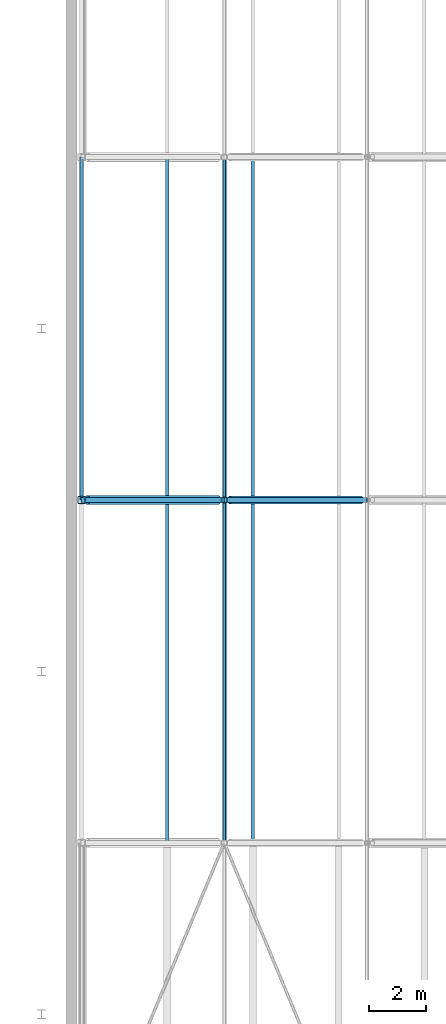
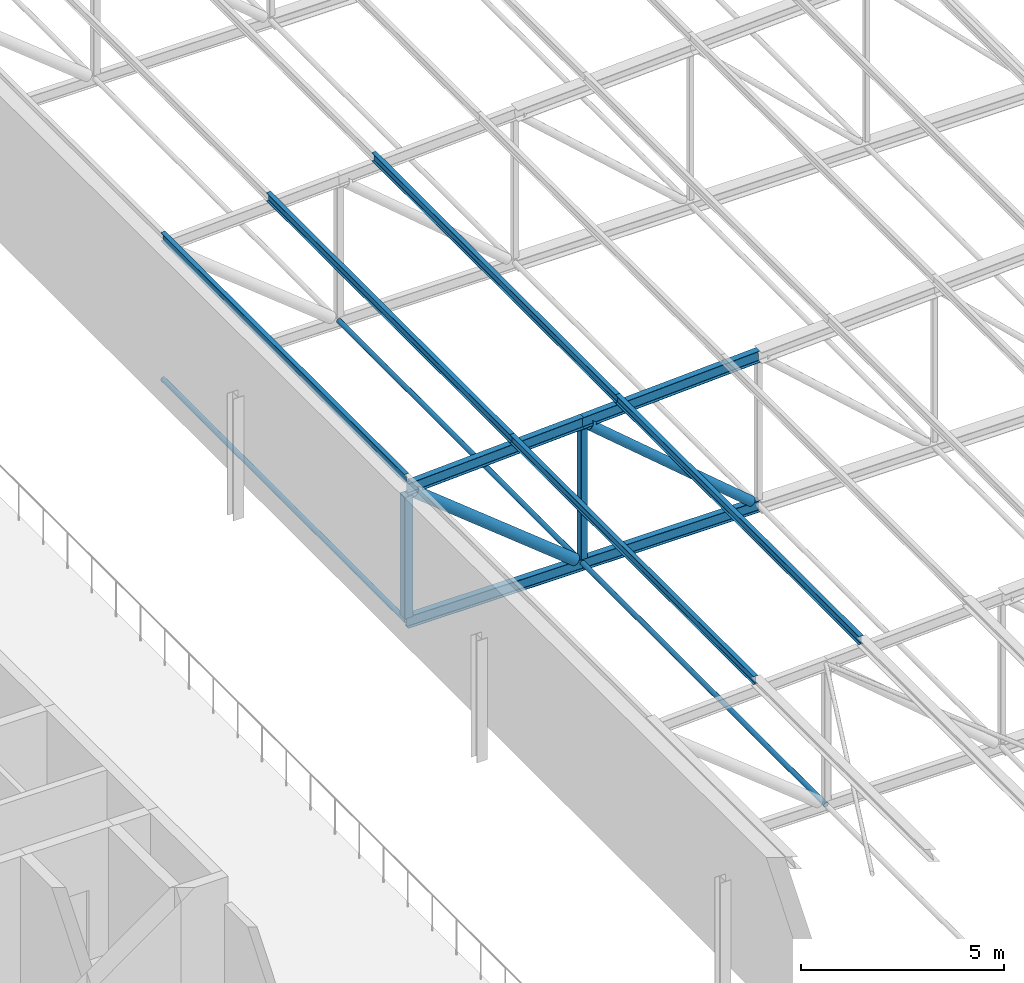
# One storey, part 12 of 156: 16 members.
"""IFC4 building model written with IfcOpenShell, lengths in metres."""

from ifc_helpers import new_model, si_unit, direction, frame, origin, origin_2d, place, context, subcontext, project, spatial, hollow_rectangle, hollow_circle, i_section, extrude, material, material_profile, profile_set, type_object, element, save


model = new_model("IFC4")

# Units and contexts
model_context = context("Model", 3, precision=1e-05, world=origin(), true_north=direction((0.0, 1.0)))
body_context = subcontext(model_context, "Body", "Model", "MODEL_VIEW")
ifc_project = project(units=[si_unit("LENGTHUNIT", "METRE"), si_unit("AREAUNIT", "SQUARE_METRE"), si_unit("VOLUMEUNIT", "CUBIC_METRE"), si_unit("PLANEANGLEUNIT", "RADIAN"), si_unit("MASSUNIT", "GRAM", prefix="KILO")], contexts=[model_context])

# Site, building, storey
site_placement = place(None, origin())
site = spatial("IfcSite", under=ifc_project, at=site_placement, CompositionType="ELEMENT")
building_placement = place(site_placement, origin())
building = spatial("IfcBuilding", under=site, at=building_placement, Name="Lilac Gate Convention Centre", CompositionType="ELEMENT")
storey_placement = place(building_placement, frame((0.0, 0.0, 17.0)))
storey = spatial("IfcBuildingStorey", under=building, at=storey_placement, Name="L03", CompositionType="ELEMENT", Elevation=17.0)

# Members
ifc_material = material(Name="Steel Q355B", Category="steel")
ifc_material_profile_1 = material_profile(ifc_material, hollow_circle(Radius=0.06982421875, WallThickness=0.0048828125, at=origin_2d()), Name="CHS139.7x5")
ifc_profile_set_1 = profile_set([ifc_material_profile_1], Name="Steel Q355B")
member_type_1 = type_object("IfcMemberType", Name="Bottom chord tie CHS139.7x5", PredefinedType="STRUT", material=ifc_profile_set_1)
for number, where, z_axis, x_axis, name in (
    (1, (35.0, 42.00341796875, 0.0), (0.0, 1.0, 0.0), (-1.0, 0.0, 0.0), "ST1 tie bay 2 node 2"),
    (2, (30.0, 54.00341796875, 0.0), (0.0, 1.0, 0.0), (-1.0, 0.0, 0.0), "ST1 tie bay 3 node 1"),
    (3, (35.0, 54.00341796875, 0.0), (0.0, 1.0, 0.0), (-1.0, 0.0, 0.0), "ST1 tie bay 3 node 2"),
):
    element("IfcMember", number, at=place(storey_placement, frame(where, z_axis=z_axis, x_axis=x_axis)), inside=storey, type_object=member_type_1, Name=name, PredefinedType="STRUT", context=body_context, shape_type="SweptSolid", body=[
        extrude(hollow_circle(Radius=0.06982421875, WallThickness=0.0048828125, at=origin_2d()), origin(), (0.0, 0.0, 1.0), 11.9931640625),
    ])
ifc_material_profile_2 = material_profile(ifc_material, i_section(OverallWidth=0.125, OverallDepth=0.25, WebThickness=0.006103515625, FlangeThickness=0.009033203125, FilletRadius=0.008056640625, at=origin_2d()), Name="HN250x125x6x9")
ifc_profile_set_2 = profile_set([ifc_material_profile_2], Name="Steel Q355B")
member_type_2 = type_object("IfcMemberType", Name="Roof purlin HN250x125x6x9", PredefinedType="PURLIN", material=ifc_profile_set_2)
for number, where, z_axis, x_axis, name in (
    (4, (33.0, 42.0, 4.4501953125), (0.0, 1.0, 0.0), (-1.0, 0.0, 0.0), "PU2 purlin bay 2 line 2"),
    (5, (36.0, 42.0, 4.60009765625), (0.0, 1.0, 0.0), (-1.0, 0.0, 0.0), "PU2 purlin bay 2 line 3"),
    (6, (30.0, 54.0, 4.30029296875), (0.0, 1.0, 0.0), (-1.0, 0.0, 0.0), "PU2 purlin bay 3 line 1"),
    (7, (33.0, 54.0, 4.4501953125), (0.0, 1.0, 0.0), (-1.0, 0.0, 0.0), "PU2 purlin bay 3 line 2"),
    (8, (36.0, 54.0, 4.60009765625), (0.0, 1.0, 0.0), (-1.0, 0.0, 0.0), "PU2 purlin bay 3 line 3"),
):
    element("IfcMember", number, at=place(storey_placement, frame(where, z_axis=z_axis, x_axis=x_axis)), inside=storey, type_object=member_type_2, Name=name, PredefinedType="PURLIN", context=body_context, shape_type="SweptSolid", body=[
        extrude(i_section(OverallWidth=0.125, OverallDepth=0.25, WebThickness=0.006103515625, FlangeThickness=0.009033203125, FilletRadius=0.008056640625, at=origin_2d()), origin(), (0.0, 0.0, 1.0), 12.0),
    ])
ifc_material_profile_3 = material_profile(ifc_material, i_section(OverallWidth=0.175048828125, OverallDepth=0.35009765625, WebThickness=0.007080078125, FlangeThickness=0.010986328125, FilletRadius=0.012939453125, at=origin_2d()), Name="HN350x175x7x11")
ifc_profile_set_3 = profile_set([ifc_material_profile_3], Name="Steel Q355B")
member_type_3 = type_object("IfcMemberType", Name="Truss bottom chord HN350x175x7x11", PredefinedType="CHORD", material=ifc_profile_set_3)
for number, where, z_axis, x_axis, name in (
    (9, (30.0, 54.0, 0.0), (1.0, 0.0, 0.0), (0.0, 1.0, 0.0), "TB1 truss 3 bottom chord 1"),
    (10, (35.0, 54.0, 0.0), (1.0, 0.0, 0.0), (0.0, 1.0, 0.0), "TB1 truss 3 bottom chord 2"),
):
    element("IfcMember", number, at=place(storey_placement, frame(where, z_axis=z_axis, x_axis=x_axis)), inside=storey, type_object=member_type_3, Name=name, PredefinedType="CHORD", context=body_context, shape_type="SweptSolid", body=[
        extrude(i_section(OverallWidth=0.175048828125, OverallDepth=0.35009765625, WebThickness=0.007080078125, FlangeThickness=0.010986328125, FilletRadius=0.012939453125, at=origin_2d()), origin(), (0.0, 0.0, 1.0), 5.0),
    ])
ifc_material_profile_4 = material_profile(ifc_material, hollow_circle(Radius=0.136474609375, WallThickness=0.010009765625, at=origin_2d()), Name="CHS273x10")
ifc_profile_set_4 = profile_set([ifc_material_profile_4], Name="Steel Q355B")
member_type_4 = type_object("IfcMemberType", Name="Truss diagonal CHS273x10", PredefinedType="BRACE", material=ifc_profile_set_4)
member_1_placement = place(storey_placement, frame((35.193115234375, 54.0, 4.085693359375), z_axis=(0.761961263863, 0.0, -0.647622600263), x_axis=(0.0, 1.0, 0.0)))
element("IfcMember", 11, at=member_1_placement, inside=storey, type_object=member_type_4, Name="TW2 truss 3 diagonal 2", PredefinedType="BRACE", context=body_context, shape_type="SweptSolid", body=[
    extrude(hollow_circle(Radius=0.136474609375, WallThickness=0.010009765625, at=origin_2d()), origin(), (0.0, 0.0, 1.0), 6.03857421875),
])
ifc_material_profile_5 = material_profile(ifc_material, hollow_circle(Radius=0.161865234375, WallThickness=0.011962890625, at=origin_2d()), Name="CHS323.9x12")
ifc_profile_set_5 = profile_set([ifc_material_profile_5], Name="Steel Q355B")
member_type_5 = type_object("IfcMemberType", Name="Truss diagonal CHS323.9x12", PredefinedType="BRACE", material=ifc_profile_set_5)
member_2_placement = place(storey_placement, frame((30.205322265625, 54.0, 3.835693359375), z_axis=(0.780876938611, 0.0, -0.624684885959), x_axis=(0.0, 1.0, 0.0)))
element("IfcMember", 12, at=member_2_placement, inside=storey, type_object=member_type_5, Name="TW1 truss 3 diagonal 1", PredefinedType="BRACE", context=body_context, shape_type="SweptSolid", body=[
    extrude(hollow_circle(Radius=0.161865234375, WallThickness=0.011962890625, at=origin_2d()), origin(), (0.0, 0.0, 1.0), 5.860107421875),
])
ifc_material_profile_6 = material_profile(ifc_material, i_section(OverallWidth=0.175048828125, OverallDepth=0.35009765625, WebThickness=0.007080078125, FlangeThickness=0.010986328125, FilletRadius=0.012939453125, at=origin_2d()), Name="HN350x175x7x11")
ifc_profile_set_6 = profile_set([ifc_material_profile_6], Name="Steel Q355B")
member_type_6 = type_object("IfcMemberType", Name="Truss top chord HN350x175x7x11", PredefinedType="CHORD", material=ifc_profile_set_6)
for number, where, z_axis, x_axis, name in (
    (13, (30.0, 54.0, 4.0), (0.998752338878, 0.0, 0.049937616944), (0.0, 1.0, 0.0), "TT1 truss 3 top chord 1"),
    (14, (35.0, 54.0, 4.25), (0.998752338878, 0.0, 0.049937616944), (0.0, 1.0, 0.0), "TT1 truss 3 top chord 2"),
):
    element("IfcMember", number, at=place(storey_placement, frame(where, z_axis=z_axis, x_axis=x_axis)), inside=storey, type_object=member_type_6, Name=name, PredefinedType="CHORD", context=body_context, shape_type="SweptSolid", body=[
        extrude(i_section(OverallWidth=0.175048828125, OverallDepth=0.35009765625, WebThickness=0.007080078125, FlangeThickness=0.010986328125, FilletRadius=0.012939453125, at=origin_2d()), origin(), (0.0, 0.0, 1.0), 5.00634765625),
    ])
ifc_material_profile_7 = material_profile(ifc_material, hollow_rectangle(XDim=0.199951171875, YDim=0.199951171875, WallThickness=0.008056640625, InnerFilletRadius=0.011962890625, OuterFilletRadius=0.02001953125, at=origin_2d()), Name="SHS200x200x8")
ifc_profile_set_7 = profile_set([ifc_material_profile_7], Name="Steel Q355B")
member_type_7 = type_object("IfcMemberType", Name="Truss vertical SHS200x200x8", PredefinedType="STRUT", material=ifc_profile_set_7)
member_3_placement = place(storey_placement, frame((35.0, 54.0, 0.175048828125), z_axis=(0.0, 0.0, 1.0), x_axis=(1.0, 0.0, 0.0)))
element("IfcMember", 15, at=member_3_placement, inside=storey, type_object=member_type_7, Name="TV2 truss 3 vertical 2", PredefinedType="STRUT", context=body_context, shape_type="SweptSolid", body=[
    extrude(hollow_rectangle(XDim=0.199951171875, YDim=0.199951171875, WallThickness=0.008056640625, InnerFilletRadius=0.011962890625, OuterFilletRadius=0.02001953125, at=origin_2d()), origin(), (0.0, 0.0, 1.0), 3.899658203125),
])
ifc_material_profile_8 = material_profile(ifc_material, hollow_rectangle(XDim=0.25, YDim=0.25, WallThickness=0.010009765625, InnerFilletRadius=0.014892578125, OuterFilletRadius=0.02490234375, at=origin_2d()), Name="SHS250x250x10")
ifc_profile_set_8 = profile_set([ifc_material_profile_8], Name="Steel Q355B")
member_type_8 = type_object("IfcMemberType", Name="Truss vertical SHS250x250x10", PredefinedType="STRUT", material=ifc_profile_set_8)
member_4_placement = place(storey_placement, frame((30.0, 54.0, 0.175048828125), z_axis=(0.0, 0.0, 1.0), x_axis=(1.0, 0.0, 0.0)))
element("IfcMember", 16, at=member_4_placement, inside=storey, type_object=member_type_8, Name="TV1 truss 3 vertical 1", PredefinedType="STRUT", context=body_context, shape_type="SweptSolid", body=[
    extrude(hollow_rectangle(XDim=0.25, YDim=0.25, WallThickness=0.010009765625, InnerFilletRadius=0.014892578125, OuterFilletRadius=0.02490234375, at=origin_2d()), origin(), (0.0, 0.0, 1.0), 3.649658203125),
])

save(model, "model.ifc")
